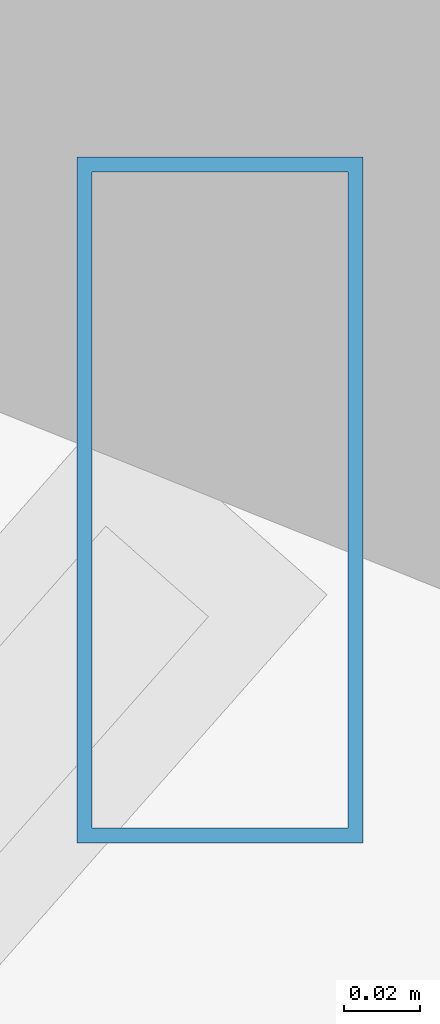
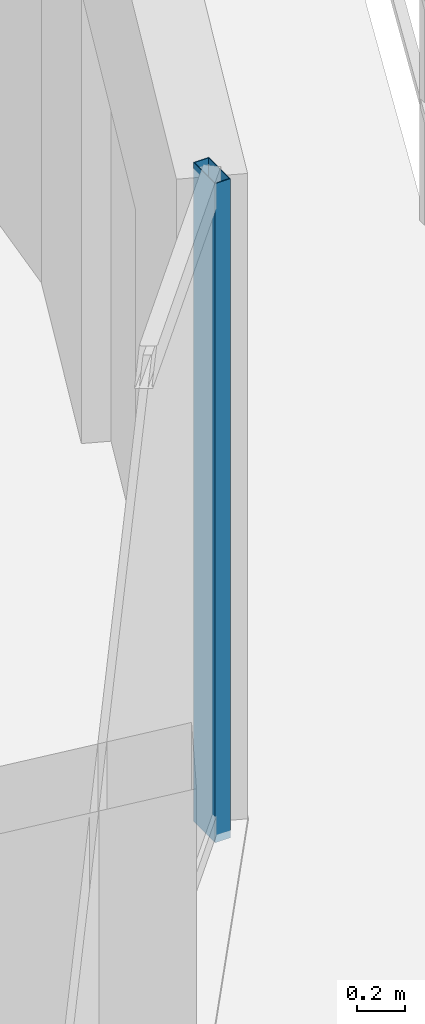
# One storey, part 13 of 30: 1 member, 1 element without a shape of its own.
"""IFC4 building model written with IfcOpenShell, lengths in metres."""

from ifc_helpers import new_model, si_unit, direction, frame, origin, origin_2d, place, context, subcontext, project, spatial, hollow_rectangle, extrude, material, material_profile, profile_set, type_object, element, aggregate, save


model = new_model("IFC4")

# Units and contexts
model_context = context("Model", 3, precision=1e-05, world=origin(), true_north=direction((0.0, 1.0)))
body_context = subcontext(model_context, "Body", "Model", "MODEL_VIEW")
ifc_project = project(units=[si_unit("LENGTHUNIT", "METRE"), si_unit("AREAUNIT", "SQUARE_METRE"), si_unit("VOLUMEUNIT", "CUBIC_METRE"), si_unit("PLANEANGLEUNIT", "RADIAN"), si_unit("MASSUNIT", "GRAM", prefix="KILO")], contexts=[model_context])

# Site, building, storey
site_placement = place(None, origin())
site = spatial("IfcSite", under=ifc_project, at=site_placement, CompositionType="ELEMENT")
building_placement = place(site_placement, origin())
building = spatial("IfcBuilding", under=site, at=building_placement, Name="Vorneva Point Tower", CompositionType="ELEMENT")
storey_placement = place(building_placement, frame((0.0, 0.0, 234.25)))
storey = spatial("IfcBuildingStorey", under=building, at=storey_placement, Name="L63", CompositionType="ELEMENT", Elevation=234.25)

# Curtain wall, member
ifc_material = material(Name="Pale anodised aluminium", Category="aluminium")
curtain_wall_type = type_object("IfcCurtainWallType", Name="CW-RES-SYS", PredefinedType="NOTDEFINED", material=ifc_material)
curtain_wall_placement = place(storey_placement, origin())
curtain_wall = element("IfcCurtainWall", 1, at=curtain_wall_placement, inside=storey, type_object=curtain_wall_type, Name="L63 Unitised Curtain Wall CW-L63-R04", PredefinedType="NOTDEFINED")
ifc_material_profile = material_profile(ifc_material, hollow_rectangle(XDim=0.074951171875, YDim=0.179931640625, WallThickness=0.00390625, at=origin_2d()), Name="AL-MUL 180x75x4")
ifc_profile_set = profile_set([ifc_material_profile], Name="Pale anodised aluminium")
member_type = type_object("IfcMemberType", Name="CW-MUL-180", PredefinedType="MULLION", material=ifc_profile_set)
member_placement = place(storey_placement, frame((62.20556640625, 18.4189453125, -0.0400390625), z_axis=(0.0, 0.0, 1.0), x_axis=(1.0, 0.0, 0.0)))
member = element("IfcMember", 2, at=member_placement, type_object=member_type, Name="CW-L63-R04 Mullion 06", PredefinedType="MULLION", context=body_context, shape_type="SweptSolid", body=[
    extrude(hollow_rectangle(XDim=0.074951171875, YDim=0.179931640625, WallThickness=0.00390625, at=origin_2d()), origin(), (0.0, 0.0, 1.0), 3.360107421875),
])
aggregate(curtain_wall, [member])

save(model, "model.ifc")
